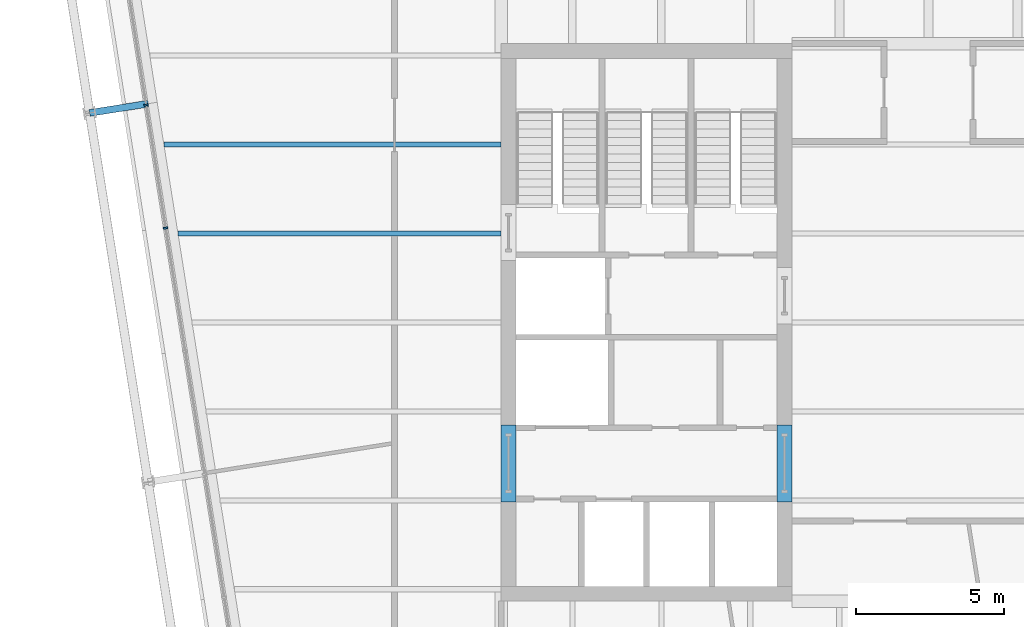
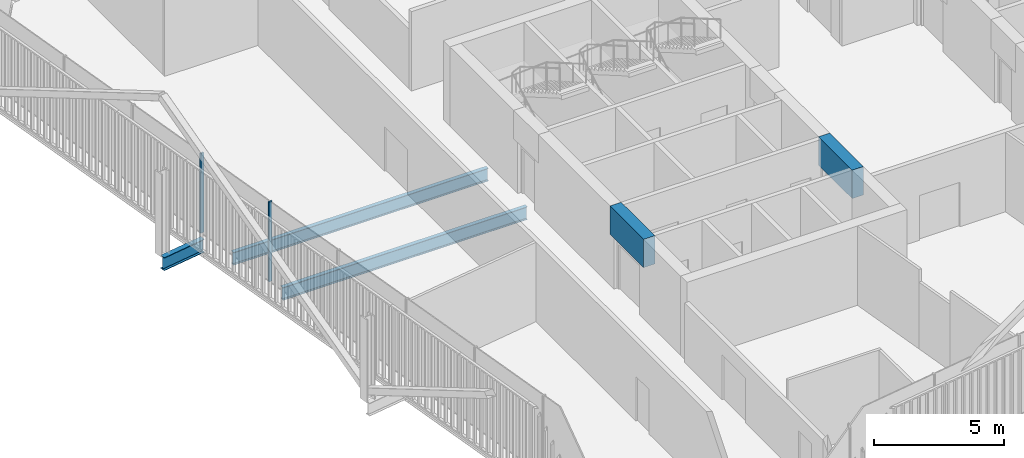
# One storey, part 7 of 21: 5 beams, 2 members, 1 element without a shape of its own.
"""IFC4 building model written with IfcOpenShell, lengths in metres."""

from ifc_helpers import new_model, si_unit, direction, frame, origin, origin_2d, place, context, subcontext, project, spatial, rectangle, i_section, extrude, material, layer, layer_set, material_profile, profile_set, type_object, element, aggregate, save


model = new_model("IFC4")

# Units and contexts
model_context = context("Model", 3, precision=1e-05, world=origin(), true_north=direction((0.0, 1.0)))
body_context = subcontext(model_context, "Body", "Model", "MODEL_VIEW")
ifc_project = project(units=[si_unit("LENGTHUNIT", "METRE"), si_unit("AREAUNIT", "SQUARE_METRE"), si_unit("VOLUMEUNIT", "CUBIC_METRE"), si_unit("PLANEANGLEUNIT", "RADIAN"), si_unit("MASSUNIT", "GRAM", prefix="KILO")], contexts=[model_context])

# Site, building, storey
site_placement = place(None, origin())
site = spatial("IfcSite", under=ifc_project, at=site_placement, CompositionType="ELEMENT")
building_placement = place(site_placement, origin())
building = spatial("IfcBuilding", under=site, at=building_placement, Name="Millrace Tower", CompositionType="ELEMENT")
storey_placement = place(building_placement, frame((0.0, 0.0, 247.39990234375)))
storey = spatial("IfcBuildingStorey", under=building, at=storey_placement, Name="L56", CompositionType="ELEMENT", Elevation=247.39990234375)

# Curtain wall, members
ifc_material_1 = material(Name="Aluminium and glass", Category="aluminium")
ifc_layer = layer(ifc_material_1, 0.14990234375)
ifc_layer_set = layer_set([ifc_layer], Name="Aluminium and glass")
curtain_wall_type = type_object("IfcCurtainWallType", Name="CW-1 office vision curtain wall", PredefinedType="NOTDEFINED", material=ifc_layer_set)
curtain_wall_placement = place(storey_placement, origin())
curtain_wall = element("IfcCurtainWall", 1, at=curtain_wall_placement, inside=storey, type_object=curtain_wall_type, Name="Curtain wall D-F08 L56", PredefinedType="NOTDEFINED")
ifc_material_2 = material(Name="Aluminium", Category="aluminium")
ifc_material_profile_1 = material_profile(ifc_material_2, rectangle(XDim=0.06494140625, YDim=0.14990234375, at=origin_2d()))
ifc_profile_set_1 = profile_set([ifc_material_profile_1], Name="Aluminium")
member_type = type_object("IfcMemberType", Name="CW-1 office vision curtain wall mullion", PredefinedType="MULLION", material=ifc_profile_set_1)
member_1_placement = place(storey_placement, frame((-26.371337890625, 7.33056640625, 0.14013671875), z_axis=(0.0, 0.0, 1.0), x_axis=(0.156434471884, -0.987688339511, 0.0)))
member_1 = element("IfcMember", 2, at=member_1_placement, type_object=member_type, Name="CW1 mullion D-F08.4", PredefinedType="MULLION", context=body_context, shape_type="SweptSolid", body=[
    extrude(rectangle(XDim=0.06494140625, YDim=0.14990234375, at=origin_2d()), origin(), (0.0, 0.0, 1.0), 3.760009765625),
])
member_2_placement = place(storey_placement, frame((-25.71435546875, 3.182373046875, 0.14013671875), z_axis=(0.0, 0.0, 1.0), x_axis=(0.156434471884, -0.987688339511, 0.0)))
member_2 = element("IfcMember", 3, at=member_2_placement, type_object=member_type, Name="CW1 mullion D-F08.5", PredefinedType="MULLION", context=body_context, shape_type="SweptSolid", body=[
    extrude(rectangle(XDim=0.06494140625, YDim=0.14990234375, at=origin_2d()), origin(), (0.0, 0.0, 1.0), 3.760009765625),
])
aggregate(curtain_wall, [member_1, member_2])

# Beams
ifc_material_3 = material(Name="Concrete C60", Category="concrete")
ifc_material_profile_2 = material_profile(ifc_material_3, rectangle(XDim=0.5, YDim=1.340087890625, at=origin_2d()))
ifc_profile_set_2 = profile_set([ifc_material_profile_2], Name="Concrete C60")
beam_type_1 = type_object("IfcBeamType", Name="Coupling beam 500 x 1340 Concrete C60, 2000 opening", PredefinedType="BEAM", material=ifc_profile_set_2)
for number, where, z_axis, x_axis, name in (
    (4, (-14.14990234375, -6.050048828125, 3.070068359375), (0.0, 1.0, 0.0), (-1.0, 0.0, 0.0), "Coupling beam W L56"),
    (5, (-4.85009765625, -6.050048828125, 3.070068359375), (0.0, 1.0, 0.0), (-1.0, 0.0, 0.0), "Coupling beam W L56"),
):
    element("IfcBeam", number, at=place(storey_placement, frame(where, z_axis=z_axis, x_axis=x_axis)), inside=storey, type_object=beam_type_1, Name=name, PredefinedType="BEAM", context=body_context, shape_type="SweptSolid", body=[
        extrude(rectangle(XDim=0.5, YDim=1.340087890625, at=origin_2d()), origin(), (0.0, 0.0, 1.0), 2.60009765625),
    ])
ifc_material_4 = material(Name="Steel ASTM A992 Grade 50", Category="steel")
ifc_material_profile_3 = material_profile(ifc_material_4, i_section(OverallWidth=0.1787109375, OverallDepth=0.60205078125, WebThickness=0.010986328125, FlangeThickness=0.014892578125, FilletRadius=0.0126953125, at=origin_2d()))
ifc_profile_set_3 = profile_set([ifc_material_profile_3], Name="Steel ASTM A992 Grade 50")
beam_type_2 = type_object("IfcBeamType", Name="Floor beam W24x62", PredefinedType="JOIST", material=ifc_profile_set_3)
beam_1_placement = place(storey_placement, frame((-25.29833984375, 3.0, -0.4609375), z_axis=(1.0, 0.0, 0.0), x_axis=(0.0, 1.0, 0.0)))
element("IfcBeam", 6, at=beam_1_placement, inside=storey, type_object=beam_type_2, Name="BM-D-L56-S1-S018", PredefinedType="JOIST", context=body_context, shape_type="SweptSolid", body=[
    extrude(i_section(OverallWidth=0.1787109375, OverallDepth=0.60205078125, WebThickness=0.010986328125, FlangeThickness=0.014892578125, FilletRadius=0.0126953125, at=origin_2d()), origin(), (0.0, 0.0, 1.0), 10.8984375),
])
beam_2_placement = place(storey_placement, frame((-25.7734375, 6.0, -0.4609375), z_axis=(1.0, 0.0, 0.0), x_axis=(0.0, 1.0, 0.0)))
element("IfcBeam", 7, at=beam_2_placement, inside=storey, type_object=beam_type_2, Name="BM-D-L56-S1-S021", PredefinedType="JOIST", context=body_context, shape_type="SweptSolid", body=[
    extrude(i_section(OverallWidth=0.1787109375, OverallDepth=0.60205078125, WebThickness=0.010986328125, FlangeThickness=0.014892578125, FilletRadius=0.0126953125, at=origin_2d()), origin(), (0.0, 0.0, 1.0), 11.37353515625),
])
ifc_material_5 = material(Name="Steel ASTM A992 Grade 50", Category="steel")
ifc_material_profile_4 = material_profile(ifc_material_5, i_section(OverallWidth=0.23046875, OverallDepth=0.6171875, WebThickness=0.01318359375, FlangeThickness=0.022216796875, FilletRadius=0.012939453125, at=origin_2d()))
ifc_profile_set_4 = profile_set([ifc_material_profile_4], Name="Steel ASTM A992 Grade 50")
beam_type_3 = type_object("IfcBeamType", Name="Link beam W24x94", PredefinedType="BEAM", material=ifc_profile_set_4)
beam_3_placement = place(storey_placement, frame((-26.302490234375, 7.37451171875, -0.468505859375), z_axis=(-0.987678691416, -0.156495375404, 0.0), x_axis=(0.156495375404, -0.987678691416, 0.0)))
element("IfcBeam", 8, at=beam_3_placement, inside=storey, type_object=beam_type_3, Name="LNK-D-L56-S1-03", PredefinedType="BEAM", context=body_context, shape_type="SweptSolid", body=[
    extrude(i_section(OverallWidth=0.23046875, OverallDepth=0.6171875, WebThickness=0.01318359375, FlangeThickness=0.022216796875, FilletRadius=0.012939453125, at=origin_2d()), origin(), (0.0, 0.0, 1.0), 2.0),
])

save(model, "model.ifc")
